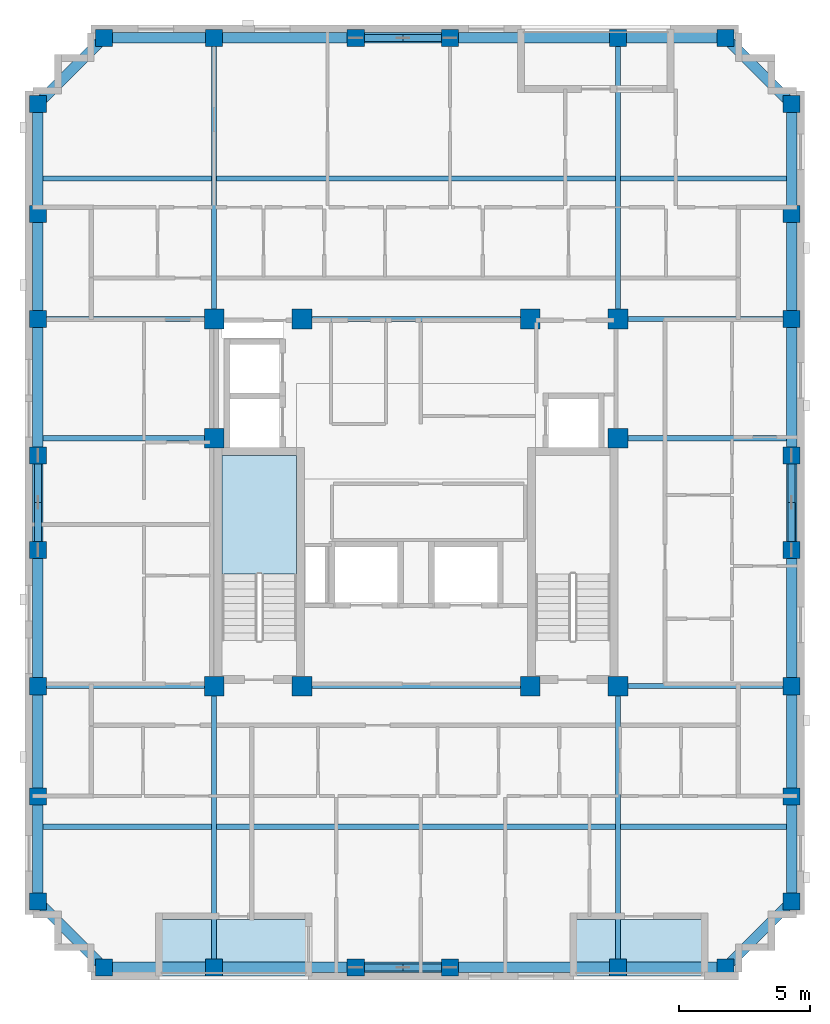
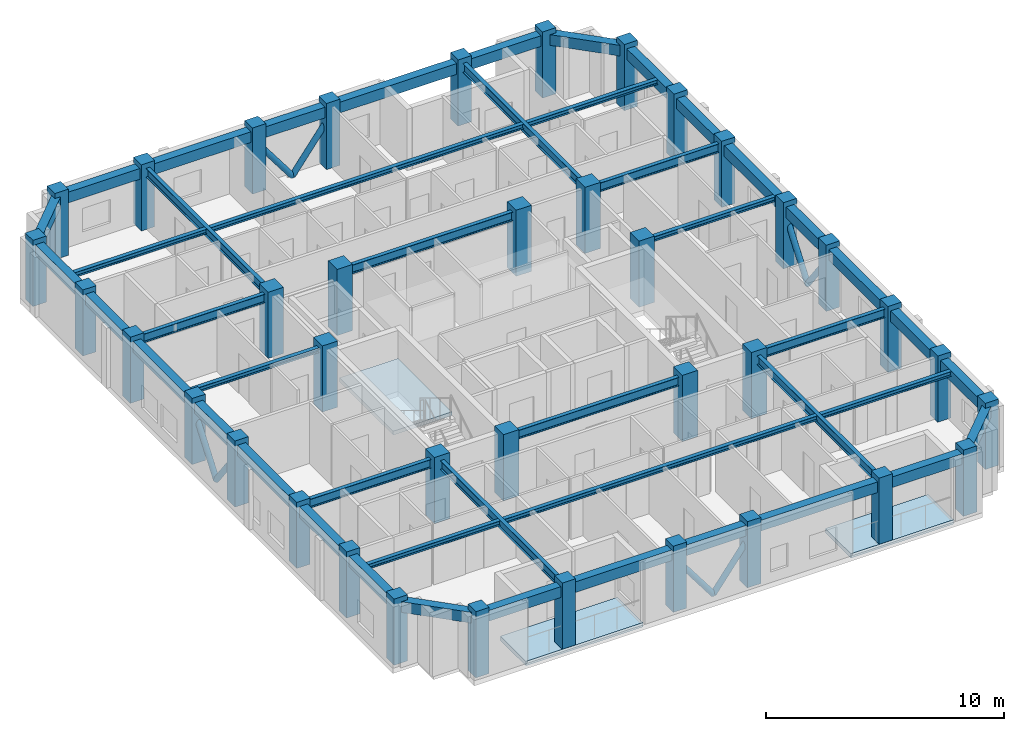
# One storey, part 1 of 11: 46 beams, 38 columns, 8 members, 3 slabs, 1 element without a shape of its own.
"""IFC4 building model written with IfcOpenShell, lengths in metres."""

from ifc_helpers import new_model, si_unit, derived_unit, direction, frame, origin, origin_2d, place, context, subcontext, project, spatial, polyline, rectangle, hollow_circle, i_section, outline, extrude, material, layer, layer_set, material_profile, profile_set, type_object, element, aggregate, save


model = new_model("IFC4")

# Units and contexts
model_context = context("Model", 3, precision=1e-05, world=origin(), true_north=direction((0.0, 1.0)))
body_context = subcontext(model_context, "Body", "Model", "MODEL_VIEW")
ifc_project = project(units=[si_unit("LENGTHUNIT", "METRE"), si_unit("AREAUNIT", "SQUARE_METRE"), si_unit("VOLUMEUNIT", "CUBIC_METRE"), si_unit("PLANEANGLEUNIT", "RADIAN"), si_unit("MASSUNIT", "GRAM", prefix="KILO"), derived_unit("THERMALTRANSMITTANCEUNIT", [(si_unit("MASSUNIT", "GRAM", prefix="KILO"), 1), (si_unit("TIMEUNIT", "SECOND"), -3), (si_unit("THERMODYNAMICTEMPERATUREUNIT", "KELVIN"), -1)])], contexts=[model_context])

# Site, building, storey
site_placement = place(None, origin())
site = spatial("IfcSite", under=ifc_project, at=site_placement, CompositionType="ELEMENT")
building_placement = place(site_placement, origin())
building = spatial("IfcBuilding", under=site, at=building_placement, Name="Korrvale Station Residences", CompositionType="ELEMENT")
storey_placement = place(building_placement, frame((0.0, 0.0, 244.5)))
storey = spatial("IfcBuildingStorey", under=building, at=storey_placement, Name="L71", CompositionType="ELEMENT", Elevation=244.5)

# Columns
ifc_material_1 = material(Name="Concrete C50/60", Category="concrete")
ifc_material_profile_1 = material_profile(ifc_material_1, rectangle(XDim=0.64990234375, YDim=0.64990234375, at=origin_2d()), Name="RC650x650")
ifc_profile_set_1 = profile_set([ifc_material_profile_1], Name="Concrete C50/60")
column_type_1 = type_object("IfcColumnType", Name="COL-C-RC650x650-C5060", PredefinedType="COLUMN", material=ifc_profile_set_1)
for number, where, z_axis, x_axis, name in (
    (1, (13.60009765625, 4.280029296875, 0.0), (0.0, 0.0, 1.0), (1.0, 0.0, 0.0), "L71 Bundled-Tube South Column 01"),
    (2, (17.800048828125, 4.280029296875, 0.0), (0.0, 0.0, 1.0), (1.0, 0.0, 0.0), "L71 Bundled-Tube South Column 02"),
    (3, (23.199951171875, 4.280029296875, 0.0), (0.0, 0.0, 1.0), (1.0, 0.0, 0.0), "L71 Bundled-Tube South Column 03"),
    (4, (26.800048828125, 4.280029296875, 0.0), (0.0, 0.0, 1.0), (1.0, 0.0, 0.0), "L71 Bundled-Tube South Column 04"),
    (5, (33.199951171875, 4.280029296875, 0.0), (0.0, 0.0, 1.0), (1.0, 0.0, 0.0), "L71 Bundled-Tube South Column 05"),
    (6, (37.300048828125, 4.280029296875, 0.0), (0.0, 0.0, 1.0), (1.0, 0.0, 0.0), "L71 Bundled-Tube South Column 06"),
    (7, (13.60009765625, 39.719970703125, 0.0), (0.0, 0.0, 1.0), (1.0, 0.0, 0.0), "L71 Bundled-Tube North Column 07"),
    (8, (17.800048828125, 39.719970703125, 0.0), (0.0, 0.0, 1.0), (1.0, 0.0, 0.0), "L71 Bundled-Tube North Column 08"),
    (9, (23.199951171875, 39.719970703125, 0.0), (0.0, 0.0, 1.0), (1.0, 0.0, 0.0), "L71 Bundled-Tube North Column 09"),
    (10, (26.800048828125, 39.719970703125, 0.0), (0.0, 0.0, 1.0), (1.0, 0.0, 0.0), "L71 Bundled-Tube North Column 10"),
    (11, (33.199951171875, 39.719970703125, 0.0), (0.0, 0.0, 1.0), (1.0, 0.0, 0.0), "L71 Bundled-Tube North Column 11"),
    (12, (37.300048828125, 39.719970703125, 0.0), (0.0, 0.0, 1.0), (1.0, 0.0, 0.0), "L71 Bundled-Tube North Column 12"),
    (13, (11.080078125, 6.800048828125, 0.0), (0.0, 0.0, 1.0), (1.0, 0.0, 0.0), "L71 Bundled-Tube West Column 13"),
    (14, (11.080078125, 10.800048828125, 0.0), (0.0, 0.0, 1.0), (1.0, 0.0, 0.0), "L71 Bundled-Tube West Column 14"),
    (15, (11.080078125, 15.0, 0.0), (0.0, 0.0, 1.0), (1.0, 0.0, 0.0), "L71 Bundled-Tube West Column 15"),
    (16, (11.080078125, 20.199951171875, 0.0), (0.0, 0.0, 1.0), (1.0, 0.0, 0.0), "L71 Bundled-Tube West Column 16"),
    (17, (11.080078125, 23.800048828125, 0.0), (0.0, 0.0, 1.0), (1.0, 0.0, 0.0), "L71 Bundled-Tube West Column 17"),
    (18, (11.080078125, 29.0, 0.0), (0.0, 0.0, 1.0), (1.0, 0.0, 0.0), "L71 Bundled-Tube West Column 18"),
    (19, (11.080078125, 33.0, 0.0), (0.0, 0.0, 1.0), (1.0, 0.0, 0.0), "L71 Bundled-Tube West Column 19"),
    (20, (11.080078125, 37.199951171875, 0.0), (0.0, 0.0, 1.0), (1.0, 0.0, 0.0), "L71 Bundled-Tube West Column 20"),
    (21, (39.820068359375, 6.800048828125, 0.0), (0.0, 0.0, 1.0), (1.0, 0.0, 0.0), "L71 Bundled-Tube East Column 21"),
    (22, (39.820068359375, 10.800048828125, 0.0), (0.0, 0.0, 1.0), (1.0, 0.0, 0.0), "L71 Bundled-Tube East Column 22"),
    (23, (39.820068359375, 15.0, 0.0), (0.0, 0.0, 1.0), (1.0, 0.0, 0.0), "L71 Bundled-Tube East Column 23"),
    (24, (39.820068359375, 20.199951171875, 0.0), (0.0, 0.0, 1.0), (1.0, 0.0, 0.0), "L71 Bundled-Tube East Column 24"),
    (25, (39.820068359375, 23.800048828125, 0.0), (0.0, 0.0, 1.0), (1.0, 0.0, 0.0), "L71 Bundled-Tube East Column 25"),
    (26, (39.820068359375, 29.0, 0.0), (0.0, 0.0, 1.0), (1.0, 0.0, 0.0), "L71 Bundled-Tube East Column 26"),
    (27, (39.820068359375, 33.0, 0.0), (0.0, 0.0, 1.0), (1.0, 0.0, 0.0), "L71 Bundled-Tube East Column 27"),
    (28, (39.820068359375, 37.199951171875, 0.0), (0.0, 0.0, 1.0), (1.0, 0.0, 0.0), "L71 Bundled-Tube East Column 28"),
):
    element("IfcColumn", number, at=place(storey_placement, frame(where, z_axis=z_axis, x_axis=x_axis)), inside=storey, type_object=column_type_1, Name=name, PredefinedType="COLUMN", context=body_context, shape_type="SweptSolid", body=[
        extrude(rectangle(XDim=0.64990234375, YDim=0.64990234375, at=origin_2d()), origin(), (0.0, 0.0, 1.0), 3.39990234375),
    ])
ifc_material_profile_2 = material_profile(ifc_material_1, rectangle(XDim=0.75, YDim=0.75, at=origin_2d()), Name="RC750x750")
ifc_profile_set_2 = profile_set([ifc_material_profile_2], Name="Concrete C50/60")
column_type_2 = type_object("IfcColumnType", Name="COL-C-RC750x750-C5060", PredefinedType="COLUMN", material=ifc_profile_set_2)
for number, where, z_axis, x_axis, name in (
    (29, (17.800048828125, 15.0, 0.0), (0.0, 0.0, 1.0), (1.0, 0.0, 0.0), "L71 Core Column 01"),
    (30, (21.14990234375, 15.0, 0.0), (0.0, 0.0, 1.0), (1.0, 0.0, 0.0), "L71 Core Column 02"),
    (31, (29.85009765625, 15.0, 0.0), (0.0, 0.0, 1.0), (1.0, 0.0, 0.0), "L71 Core Column 03"),
    (32, (33.199951171875, 15.0, 0.0), (0.0, 0.0, 1.0), (1.0, 0.0, 0.0), "L71 Core Column 04"),
    (33, (17.800048828125, 29.0, 0.0), (0.0, 0.0, 1.0), (1.0, 0.0, 0.0), "L71 Core Column 05"),
    (34, (21.14990234375, 29.0, 0.0), (0.0, 0.0, 1.0), (1.0, 0.0, 0.0), "L71 Core Column 06"),
    (35, (29.85009765625, 29.0, 0.0), (0.0, 0.0, 1.0), (1.0, 0.0, 0.0), "L71 Core Column 07"),
    (36, (33.199951171875, 29.0, 0.0), (0.0, 0.0, 1.0), (1.0, 0.0, 0.0), "L71 Core Column 08"),
    (37, (17.800048828125, 24.449951171875, 0.0), (0.0, 0.0, 1.0), (1.0, 0.0, 0.0), "L71 Core Column 09"),
    (38, (33.199951171875, 24.449951171875, 0.0), (0.0, 0.0, 1.0), (1.0, 0.0, 0.0), "L71 Core Column 10"),
):
    element("IfcColumn", number, at=place(storey_placement, frame(where, z_axis=z_axis, x_axis=x_axis)), inside=storey, type_object=column_type_2, Name=name, PredefinedType="COLUMN", context=body_context, shape_type="SweptSolid", body=[
        extrude(rectangle(XDim=0.75, YDim=0.75, at=origin_2d()), origin(), (0.0, 0.0, 1.0), 3.39990234375),
    ])

# Beams
ifc_material_2 = material(Name="Steel S355", Category="steel")
ifc_material_profile_3 = material_profile(ifc_material_2, i_section(OverallWidth=0.18994140625, OverallDepth=0.45703125, WebThickness=0.009033203125, FlangeThickness=0.014404296875, FilletRadius=0.01611328125, at=origin_2d()), Name="W460x74")
ifc_profile_set_3 = profile_set([ifc_material_profile_3], Name="Steel S355")
beam_type_1 = type_object("IfcBeamType", Name="BM-BM-W460x74-S355", PredefinedType="BEAM", material=ifc_profile_set_3)
for number, where, z_axis, x_axis, name in (
    (39, (17.800048828125, 4.280029296875, 2.91162109375), (0.0, 1.0, 0.0), (-1.0, 0.0, 0.0), "L71 Bundled-Tube Web Girder 01"),
    (40, (33.199951171875, 4.280029296875, 2.91162109375), (0.0, 1.0, 0.0), (-1.0, 0.0, 0.0), "L71 Bundled-Tube Web Girder 02"),
    (41, (17.800048828125, 29.0, 2.91162109375), (0.0, 1.0, 0.0), (-1.0, 0.0, 0.0), "L71 Bundled-Tube Web Girder 03"),
    (42, (33.199951171875, 29.0, 2.91162109375), (0.0, 1.0, 0.0), (-1.0, 0.0, 0.0), "L71 Bundled-Tube Web Girder 04"),
):
    element("IfcBeam", number, at=place(storey_placement, frame(where, z_axis=z_axis, x_axis=x_axis)), inside=storey, type_object=beam_type_1, Name=name, PredefinedType="BEAM", context=body_context, shape_type="SweptSolid", body=[
        extrude(i_section(OverallWidth=0.18994140625, OverallDepth=0.45703125, WebThickness=0.009033203125, FlangeThickness=0.014404296875, FilletRadius=0.01611328125, at=origin_2d()), origin(), (0.0, 0.0, 1.0), 10.719970703125),
    ])
beam_1_placement = place(storey_placement, frame((11.080078125, 15.0, 2.91162109375), z_axis=(1.0, 0.0, 0.0), x_axis=(0.0, 1.0, 0.0)))
element("IfcBeam", 43, at=beam_1_placement, inside=storey, type_object=beam_type_1, Name="L71 Bundled-Tube Web Girder 05", PredefinedType="BEAM", context=body_context, shape_type="SweptSolid", body=[
    extrude(i_section(OverallWidth=0.18994140625, OverallDepth=0.45703125, WebThickness=0.009033203125, FlangeThickness=0.014404296875, FilletRadius=0.01611328125, at=origin_2d()), origin(), (0.0, 0.0, 1.0), 6.719970703125),
])
beam_2_placement = place(storey_placement, frame((33.199951171875, 15.0, 2.91162109375), z_axis=(1.0, 0.0, 0.0), x_axis=(0.0, 1.0, 0.0)))
element("IfcBeam", 44, at=beam_2_placement, inside=storey, type_object=beam_type_1, Name="L71 Bundled-Tube Web Girder 06", PredefinedType="BEAM", context=body_context, shape_type="SweptSolid", body=[
    extrude(i_section(OverallWidth=0.18994140625, OverallDepth=0.45703125, WebThickness=0.009033203125, FlangeThickness=0.014404296875, FilletRadius=0.01611328125, at=origin_2d()), origin(), (0.0, 0.0, 1.0), 6.6201171875),
])
beam_3_placement = place(storey_placement, frame((11.080078125, 29.0, 2.91162109375), z_axis=(1.0, 0.0, 0.0), x_axis=(0.0, 1.0, 0.0)))
element("IfcBeam", 45, at=beam_3_placement, inside=storey, type_object=beam_type_1, Name="L71 Bundled-Tube Web Girder 07", PredefinedType="BEAM", context=body_context, shape_type="SweptSolid", body=[
    extrude(i_section(OverallWidth=0.18994140625, OverallDepth=0.45703125, WebThickness=0.009033203125, FlangeThickness=0.014404296875, FilletRadius=0.01611328125, at=origin_2d()), origin(), (0.0, 0.0, 1.0), 6.719970703125),
])
beam_4_placement = place(storey_placement, frame((33.199951171875, 29.0, 2.91162109375), z_axis=(1.0, 0.0, 0.0), x_axis=(0.0, 1.0, 0.0)))
element("IfcBeam", 46, at=beam_4_placement, inside=storey, type_object=beam_type_1, Name="L71 Bundled-Tube Web Girder 08", PredefinedType="BEAM", context=body_context, shape_type="SweptSolid", body=[
    extrude(i_section(OverallWidth=0.18994140625, OverallDepth=0.45703125, WebThickness=0.009033203125, FlangeThickness=0.014404296875, FilletRadius=0.01611328125, at=origin_2d()), origin(), (0.0, 0.0, 1.0), 6.6201171875),
])
for number, where, z_axis, x_axis, name in (
    (47, (21.14990234375, 15.0, 2.91162109375), (1.0, 0.0, 0.0), (0.0, 1.0, 0.0), "L71 Bundled-Tube Web Girder 09"),
    (48, (21.14990234375, 29.0, 2.91162109375), (1.0, 0.0, 0.0), (0.0, 1.0, 0.0), "L71 Bundled-Tube Web Girder 10"),
):
    element("IfcBeam", number, at=place(storey_placement, frame(where, z_axis=z_axis, x_axis=x_axis)), inside=storey, type_object=beam_type_1, Name=name, PredefinedType="BEAM", context=body_context, shape_type="SweptSolid", body=[
        extrude(i_section(OverallWidth=0.18994140625, OverallDepth=0.45703125, WebThickness=0.009033203125, FlangeThickness=0.014404296875, FilletRadius=0.01611328125, at=origin_2d()), origin(), (0.0, 0.0, 1.0), 8.7001953125),
    ])
ifc_material_profile_4 = material_profile(ifc_material_2, i_section(OverallWidth=0.201904296875, OverallDepth=0.2470703125, WebThickness=0.00732421875, FlangeThickness=0.010986328125, FilletRadius=0.012939453125, at=origin_2d()), Name="W250x49")
ifc_profile_set_4 = profile_set([ifc_material_profile_4], Name="Steel S355")
beam_type_2 = type_object("IfcBeamType", Name="BM-JST-W250x49-S355", PredefinedType="JOIST", material=ifc_profile_set_4)
beam_5_placement = place(storey_placement, frame((11.280029296875, 9.639892578125, 3.0166015625), z_axis=(1.0, 0.0, 0.0), x_axis=(0.0, 1.0, 0.0)))
element("IfcBeam", 49, at=beam_5_placement, inside=storey, type_object=beam_type_2, Name="L71 Floor Framing Joist 01", PredefinedType="JOIST", context=body_context, shape_type="SweptSolid", body=[
    extrude(i_section(OverallWidth=0.201904296875, OverallDepth=0.2470703125, WebThickness=0.00732421875, FlangeThickness=0.010986328125, FilletRadius=0.012939453125, at=origin_2d()), origin(), (0.0, 0.0, 1.0), 6.425048828125),
])
beam_6_placement = place(storey_placement, frame((17.89501953125, 9.639892578125, 3.0166015625), z_axis=(1.0, 0.0, 0.0), x_axis=(0.0, 1.0, 0.0)))
element("IfcBeam", 50, at=beam_6_placement, inside=storey, type_object=beam_type_2, Name="L71 Floor Framing Joist 02", PredefinedType="JOIST", context=body_context, shape_type="SweptSolid", body=[
    extrude(i_section(OverallWidth=0.201904296875, OverallDepth=0.2470703125, WebThickness=0.00732421875, FlangeThickness=0.010986328125, FilletRadius=0.012939453125, at=origin_2d()), origin(), (0.0, 0.0, 1.0), 15.2099609375),
])
beam_7_placement = place(storey_placement, frame((33.294921875, 9.639892578125, 3.0166015625), z_axis=(1.0, 0.0, 0.0), x_axis=(0.0, 1.0, 0.0)))
element("IfcBeam", 51, at=beam_7_placement, inside=storey, type_object=beam_type_2, Name="L71 Floor Framing Joist 03", PredefinedType="JOIST", context=body_context, shape_type="SweptSolid", body=[
    extrude(i_section(OverallWidth=0.201904296875, OverallDepth=0.2470703125, WebThickness=0.00732421875, FlangeThickness=0.010986328125, FilletRadius=0.012939453125, at=origin_2d()), origin(), (0.0, 0.0, 1.0), 6.3251953125),
])
beam_8_placement = place(storey_placement, frame((11.280029296875, 34.360107421875, 3.0166015625), z_axis=(1.0, 0.0, 0.0), x_axis=(0.0, 1.0, 0.0)))
element("IfcBeam", 52, at=beam_8_placement, inside=storey, type_object=beam_type_2, Name="L71 Floor Framing Joist 04", PredefinedType="JOIST", context=body_context, shape_type="SweptSolid", body=[
    extrude(i_section(OverallWidth=0.201904296875, OverallDepth=0.2470703125, WebThickness=0.00732421875, FlangeThickness=0.010986328125, FilletRadius=0.012939453125, at=origin_2d()), origin(), (0.0, 0.0, 1.0), 6.425048828125),
])
beam_9_placement = place(storey_placement, frame((17.89501953125, 34.360107421875, 3.0166015625), z_axis=(1.0, 0.0, 0.0), x_axis=(0.0, 1.0, 0.0)))
element("IfcBeam", 53, at=beam_9_placement, inside=storey, type_object=beam_type_2, Name="L71 Floor Framing Joist 05", PredefinedType="JOIST", context=body_context, shape_type="SweptSolid", body=[
    extrude(i_section(OverallWidth=0.201904296875, OverallDepth=0.2470703125, WebThickness=0.00732421875, FlangeThickness=0.010986328125, FilletRadius=0.012939453125, at=origin_2d()), origin(), (0.0, 0.0, 1.0), 15.2099609375),
])
beam_10_placement = place(storey_placement, frame((33.294921875, 34.360107421875, 3.0166015625), z_axis=(1.0, 0.0, 0.0), x_axis=(0.0, 1.0, 0.0)))
element("IfcBeam", 54, at=beam_10_placement, inside=storey, type_object=beam_type_2, Name="L71 Floor Framing Joist 06", PredefinedType="JOIST", context=body_context, shape_type="SweptSolid", body=[
    extrude(i_section(OverallWidth=0.201904296875, OverallDepth=0.2470703125, WebThickness=0.00732421875, FlangeThickness=0.010986328125, FilletRadius=0.012939453125, at=origin_2d()), origin(), (0.0, 0.0, 1.0), 6.3251953125),
])
beam_11_placement = place(storey_placement, frame((33.199951171875, 24.449951171875, 3.0166015625), z_axis=(1.0, 0.0, 0.0), x_axis=(0.0, 1.0, 0.0)))
element("IfcBeam", 55, at=beam_11_placement, inside=storey, type_object=beam_type_2, Name="L71 Floor Framing Joist 07", PredefinedType="JOIST", context=body_context, shape_type="SweptSolid", body=[
    extrude(i_section(OverallWidth=0.201904296875, OverallDepth=0.2470703125, WebThickness=0.00732421875, FlangeThickness=0.010986328125, FilletRadius=0.012939453125, at=origin_2d()), origin(), (0.0, 0.0, 1.0), 6.420166015625),
])
beam_12_placement = place(storey_placement, frame((11.280029296875, 24.449951171875, 3.0166015625), z_axis=(1.0, 0.0, 0.0), x_axis=(0.0, 1.0, 0.0)))
element("IfcBeam", 56, at=beam_12_placement, inside=storey, type_object=beam_type_2, Name="L71 Floor Framing Joist 08", PredefinedType="JOIST", context=body_context, shape_type="SweptSolid", body=[
    extrude(i_section(OverallWidth=0.201904296875, OverallDepth=0.2470703125, WebThickness=0.00732421875, FlangeThickness=0.010986328125, FilletRadius=0.012939453125, at=origin_2d()), origin(), (0.0, 0.0, 1.0), 6.52001953125),
])
ifc_material_profile_5 = material_profile(ifc_material_1, rectangle(XDim=0.39990234375, YDim=0.550048828125, at=origin_2d()), Name="RCB400x550")
ifc_profile_set_5 = profile_set([ifc_material_profile_5], Name="Concrete C50/60")
beam_type_3 = type_object("IfcBeamType", Name="BM-SPB-RCB400x550-C5060", PredefinedType="SPANDREL", material=ifc_profile_set_5)
beam_13_placement = place(storey_placement, frame((13.60009765625, 4.280029296875, 2.864990234375), z_axis=(1.0, 0.0, 0.0), x_axis=(0.0, 1.0, 0.0)))
element("IfcBeam", 57, at=beam_13_placement, inside=storey, type_object=beam_type_3, Name="L71 South Tube Spandrel 01", PredefinedType="SPANDREL", context=body_context, shape_type="SweptSolid", body=[
    extrude(rectangle(XDim=0.39990234375, YDim=0.550048828125, at=origin_2d()), origin(), (0.0, 0.0, 1.0), 4.199951171875),
])
beam_14_placement = place(storey_placement, frame((17.800048828125, 4.280029296875, 2.864990234375), z_axis=(1.0, 0.0, 0.0), x_axis=(0.0, 1.0, 0.0)))
element("IfcBeam", 58, at=beam_14_placement, inside=storey, type_object=beam_type_3, Name="L71 South Tube Spandrel 02", PredefinedType="SPANDREL", context=body_context, shape_type="SweptSolid", body=[
    extrude(rectangle(XDim=0.39990234375, YDim=0.550048828125, at=origin_2d()), origin(), (0.0, 0.0, 1.0), 5.39990234375),
])
beam_15_placement = place(storey_placement, frame((23.199951171875, 4.280029296875, 2.864990234375), z_axis=(1.0, 0.0, 0.0), x_axis=(0.0, 1.0, 0.0)))
element("IfcBeam", 59, at=beam_15_placement, inside=storey, type_object=beam_type_3, Name="L71 South Tube Spandrel 03", PredefinedType="SPANDREL", context=body_context, shape_type="SweptSolid", body=[
    extrude(rectangle(XDim=0.39990234375, YDim=0.550048828125, at=origin_2d()), origin(), (0.0, 0.0, 1.0), 3.60009765625),
])
beam_16_placement = place(storey_placement, frame((26.800048828125, 4.280029296875, 2.864990234375), z_axis=(1.0, 0.0, 0.0), x_axis=(0.0, 1.0, 0.0)))
element("IfcBeam", 60, at=beam_16_placement, inside=storey, type_object=beam_type_3, Name="L71 South Tube Spandrel 04", PredefinedType="SPANDREL", context=body_context, shape_type="SweptSolid", body=[
    extrude(rectangle(XDim=0.39990234375, YDim=0.550048828125, at=origin_2d()), origin(), (0.0, 0.0, 1.0), 6.39990234375),
])
beam_17_placement = place(storey_placement, frame((33.199951171875, 4.280029296875, 2.864990234375), z_axis=(1.0, 0.0, 0.0), x_axis=(0.0, 1.0, 0.0)))
element("IfcBeam", 61, at=beam_17_placement, inside=storey, type_object=beam_type_3, Name="L71 South Tube Spandrel 05", PredefinedType="SPANDREL", context=body_context, shape_type="SweptSolid", body=[
    extrude(rectangle(XDim=0.39990234375, YDim=0.550048828125, at=origin_2d()), origin(), (0.0, 0.0, 1.0), 4.10009765625),
])
beam_18_placement = place(storey_placement, frame((13.60009765625, 39.719970703125, 2.864990234375), z_axis=(1.0, 0.0, 0.0), x_axis=(0.0, 1.0, 0.0)))
element("IfcBeam", 62, at=beam_18_placement, inside=storey, type_object=beam_type_3, Name="L71 North Tube Spandrel 06", PredefinedType="SPANDREL", context=body_context, shape_type="SweptSolid", body=[
    extrude(rectangle(XDim=0.39990234375, YDim=0.550048828125, at=origin_2d()), origin(), (0.0, 0.0, 1.0), 4.199951171875),
])
beam_19_placement = place(storey_placement, frame((17.800048828125, 39.719970703125, 2.864990234375), z_axis=(1.0, 0.0, 0.0), x_axis=(0.0, 1.0, 0.0)))
element("IfcBeam", 63, at=beam_19_placement, inside=storey, type_object=beam_type_3, Name="L71 North Tube Spandrel 07", PredefinedType="SPANDREL", context=body_context, shape_type="SweptSolid", body=[
    extrude(rectangle(XDim=0.39990234375, YDim=0.550048828125, at=origin_2d()), origin(), (0.0, 0.0, 1.0), 5.39990234375),
])
beam_20_placement = place(storey_placement, frame((23.199951171875, 39.719970703125, 2.864990234375), z_axis=(1.0, 0.0, 0.0), x_axis=(0.0, 1.0, 0.0)))
element("IfcBeam", 64, at=beam_20_placement, inside=storey, type_object=beam_type_3, Name="L71 North Tube Spandrel 08", PredefinedType="SPANDREL", context=body_context, shape_type="SweptSolid", body=[
    extrude(rectangle(XDim=0.39990234375, YDim=0.550048828125, at=origin_2d()), origin(), (0.0, 0.0, 1.0), 3.60009765625),
])
beam_21_placement = place(storey_placement, frame((26.800048828125, 39.719970703125, 2.864990234375), z_axis=(1.0, 0.0, 0.0), x_axis=(0.0, 1.0, 0.0)))
element("IfcBeam", 65, at=beam_21_placement, inside=storey, type_object=beam_type_3, Name="L71 North Tube Spandrel 09", PredefinedType="SPANDREL", context=body_context, shape_type="SweptSolid", body=[
    extrude(rectangle(XDim=0.39990234375, YDim=0.550048828125, at=origin_2d()), origin(), (0.0, 0.0, 1.0), 6.39990234375),
])
beam_22_placement = place(storey_placement, frame((33.199951171875, 39.719970703125, 2.864990234375), z_axis=(1.0, 0.0, 0.0), x_axis=(0.0, 1.0, 0.0)))
element("IfcBeam", 66, at=beam_22_placement, inside=storey, type_object=beam_type_3, Name="L71 North Tube Spandrel 10", PredefinedType="SPANDREL", context=body_context, shape_type="SweptSolid", body=[
    extrude(rectangle(XDim=0.39990234375, YDim=0.550048828125, at=origin_2d()), origin(), (0.0, 0.0, 1.0), 4.10009765625),
])
beam_23_placement = place(storey_placement, frame((11.080078125, 6.800048828125, 2.864990234375), z_axis=(0.0, 1.0, 0.0), x_axis=(-1.0, 0.0, 0.0)))
element("IfcBeam", 67, at=beam_23_placement, inside=storey, type_object=beam_type_3, Name="L71 West Tube Spandrel 11", PredefinedType="SPANDREL", context=body_context, shape_type="SweptSolid", body=[
    extrude(rectangle(XDim=0.39990234375, YDim=0.550048828125, at=origin_2d()), origin(), (0.0, 0.0, 1.0), 4.0),
])
beam_24_placement = place(storey_placement, frame((11.080078125, 10.800048828125, 2.864990234375), z_axis=(0.0, 1.0, 0.0), x_axis=(-1.0, 0.0, 0.0)))
element("IfcBeam", 68, at=beam_24_placement, inside=storey, type_object=beam_type_3, Name="L71 West Tube Spandrel 12", PredefinedType="SPANDREL", context=body_context, shape_type="SweptSolid", body=[
    extrude(rectangle(XDim=0.39990234375, YDim=0.550048828125, at=origin_2d()), origin(), (0.0, 0.0, 1.0), 4.199951171875),
])
beam_25_placement = place(storey_placement, frame((11.080078125, 15.0, 2.864990234375), z_axis=(0.0, 1.0, 0.0), x_axis=(-1.0, 0.0, 0.0)))
element("IfcBeam", 69, at=beam_25_placement, inside=storey, type_object=beam_type_3, Name="L71 West Tube Spandrel 13", PredefinedType="SPANDREL", context=body_context, shape_type="SweptSolid", body=[
    extrude(rectangle(XDim=0.39990234375, YDim=0.550048828125, at=origin_2d()), origin(), (0.0, 0.0, 1.0), 5.199951171875),
])
beam_26_placement = place(storey_placement, frame((11.080078125, 20.199951171875, 2.864990234375), z_axis=(0.0, 1.0, 0.0), x_axis=(-1.0, 0.0, 0.0)))
element("IfcBeam", 70, at=beam_26_placement, inside=storey, type_object=beam_type_3, Name="L71 West Tube Spandrel 14", PredefinedType="SPANDREL", context=body_context, shape_type="SweptSolid", body=[
    extrude(rectangle(XDim=0.39990234375, YDim=0.550048828125, at=origin_2d()), origin(), (0.0, 0.0, 1.0), 3.60009765625),
])
beam_27_placement = place(storey_placement, frame((11.080078125, 23.800048828125, 2.864990234375), z_axis=(0.0, 1.0, 0.0), x_axis=(-1.0, 0.0, 0.0)))
element("IfcBeam", 71, at=beam_27_placement, inside=storey, type_object=beam_type_3, Name="L71 West Tube Spandrel 15", PredefinedType="SPANDREL", context=body_context, shape_type="SweptSolid", body=[
    extrude(rectangle(XDim=0.39990234375, YDim=0.550048828125, at=origin_2d()), origin(), (0.0, 0.0, 1.0), 5.199951171875),
])
beam_28_placement = place(storey_placement, frame((11.080078125, 29.0, 2.864990234375), z_axis=(0.0, 1.0, 0.0), x_axis=(-1.0, 0.0, 0.0)))
element("IfcBeam", 72, at=beam_28_placement, inside=storey, type_object=beam_type_3, Name="L71 West Tube Spandrel 16", PredefinedType="SPANDREL", context=body_context, shape_type="SweptSolid", body=[
    extrude(rectangle(XDim=0.39990234375, YDim=0.550048828125, at=origin_2d()), origin(), (0.0, 0.0, 1.0), 4.0),
])
beam_29_placement = place(storey_placement, frame((11.080078125, 33.0, 2.864990234375), z_axis=(0.0, 1.0, 0.0), x_axis=(-1.0, 0.0, 0.0)))
element("IfcBeam", 73, at=beam_29_placement, inside=storey, type_object=beam_type_3, Name="L71 West Tube Spandrel 17", PredefinedType="SPANDREL", context=body_context, shape_type="SweptSolid", body=[
    extrude(rectangle(XDim=0.39990234375, YDim=0.550048828125, at=origin_2d()), origin(), (0.0, 0.0, 1.0), 4.199951171875),
])
beam_30_placement = place(storey_placement, frame((39.820068359375, 6.800048828125, 2.864990234375), z_axis=(0.0, 1.0, 0.0), x_axis=(-1.0, 0.0, 0.0)))
element("IfcBeam", 74, at=beam_30_placement, inside=storey, type_object=beam_type_3, Name="L71 East Tube Spandrel 18", PredefinedType="SPANDREL", context=body_context, shape_type="SweptSolid", body=[
    extrude(rectangle(XDim=0.39990234375, YDim=0.550048828125, at=origin_2d()), origin(), (0.0, 0.0, 1.0), 4.0),
])
beam_31_placement = place(storey_placement, frame((39.820068359375, 10.800048828125, 2.864990234375), z_axis=(0.0, 1.0, 0.0), x_axis=(-1.0, 0.0, 0.0)))
element("IfcBeam", 75, at=beam_31_placement, inside=storey, type_object=beam_type_3, Name="L71 East Tube Spandrel 19", PredefinedType="SPANDREL", context=body_context, shape_type="SweptSolid", body=[
    extrude(rectangle(XDim=0.39990234375, YDim=0.550048828125, at=origin_2d()), origin(), (0.0, 0.0, 1.0), 4.199951171875),
])
beam_32_placement = place(storey_placement, frame((39.820068359375, 15.0, 2.864990234375), z_axis=(0.0, 1.0, 0.0), x_axis=(-1.0, 0.0, 0.0)))
element("IfcBeam", 76, at=beam_32_placement, inside=storey, type_object=beam_type_3, Name="L71 East Tube Spandrel 20", PredefinedType="SPANDREL", context=body_context, shape_type="SweptSolid", body=[
    extrude(rectangle(XDim=0.39990234375, YDim=0.550048828125, at=origin_2d()), origin(), (0.0, 0.0, 1.0), 5.199951171875),
])
beam_33_placement = place(storey_placement, frame((39.820068359375, 20.199951171875, 2.864990234375), z_axis=(0.0, 1.0, 0.0), x_axis=(-1.0, 0.0, 0.0)))
element("IfcBeam", 77, at=beam_33_placement, inside=storey, type_object=beam_type_3, Name="L71 East Tube Spandrel 21", PredefinedType="SPANDREL", context=body_context, shape_type="SweptSolid", body=[
    extrude(rectangle(XDim=0.39990234375, YDim=0.550048828125, at=origin_2d()), origin(), (0.0, 0.0, 1.0), 3.60009765625),
])
beam_34_placement = place(storey_placement, frame((39.820068359375, 23.800048828125, 2.864990234375), z_axis=(0.0, 1.0, 0.0), x_axis=(-1.0, 0.0, 0.0)))
element("IfcBeam", 78, at=beam_34_placement, inside=storey, type_object=beam_type_3, Name="L71 East Tube Spandrel 22", PredefinedType="SPANDREL", context=body_context, shape_type="SweptSolid", body=[
    extrude(rectangle(XDim=0.39990234375, YDim=0.550048828125, at=origin_2d()), origin(), (0.0, 0.0, 1.0), 5.199951171875),
])
beam_35_placement = place(storey_placement, frame((39.820068359375, 29.0, 2.864990234375), z_axis=(0.0, 1.0, 0.0), x_axis=(-1.0, 0.0, 0.0)))
element("IfcBeam", 79, at=beam_35_placement, inside=storey, type_object=beam_type_3, Name="L71 East Tube Spandrel 23", PredefinedType="SPANDREL", context=body_context, shape_type="SweptSolid", body=[
    extrude(rectangle(XDim=0.39990234375, YDim=0.550048828125, at=origin_2d()), origin(), (0.0, 0.0, 1.0), 4.0),
])
beam_36_placement = place(storey_placement, frame((39.820068359375, 33.0, 2.864990234375), z_axis=(0.0, 1.0, 0.0), x_axis=(-1.0, 0.0, 0.0)))
element("IfcBeam", 80, at=beam_36_placement, inside=storey, type_object=beam_type_3, Name="L71 East Tube Spandrel 24", PredefinedType="SPANDREL", context=body_context, shape_type="SweptSolid", body=[
    extrude(rectangle(XDim=0.39990234375, YDim=0.550048828125, at=origin_2d()), origin(), (0.0, 0.0, 1.0), 4.199951171875),
])
for number, where, z_axis, x_axis, name in (
    (81, (13.60009765625, 4.280029296875, 2.864990234375), (-0.707106781187, 0.707106781187, 0.0), (-0.707106781187, -0.707106781187, 0.0), "L71 Serrated Corner Spandrel 25"),
    (82, (37.300048828125, 4.280029296875, 2.864990234375), (0.707106781187, 0.707106781187, 0.0), (-0.707106781187, 0.707106781187, 0.0), "L71 Serrated Corner Spandrel 26"),
    (83, (37.300048828125, 39.719970703125, 2.864990234375), (0.707106781187, -0.707106781187, 0.0), (0.707106781187, 0.707106781187, 0.0), "L71 Serrated Corner Spandrel 27"),
    (84, (13.60009765625, 39.719970703125, 2.864990234375), (-0.707106781187, -0.707106781187, 0.0), (0.707106781187, -0.707106781187, 0.0), "L71 Serrated Corner Spandrel 28"),
):
    element("IfcBeam", number, at=place(storey_placement, frame(where, z_axis=z_axis, x_axis=x_axis)), inside=storey, type_object=beam_type_3, Name=name, PredefinedType="SPANDREL", context=body_context, shape_type="SweptSolid", body=[
        extrude(rectangle(XDim=0.39990234375, YDim=0.550048828125, at=origin_2d()), origin(), (0.0, 0.0, 1.0), 3.56396484375),
    ])

# Members
ifc_material_profile_6 = material_profile(ifc_material_2, hollow_circle(Radius=0.136474609375, WallThickness=0.015869140625, at=origin_2d()), Name="HSS273x16")
ifc_profile_set_6 = profile_set([ifc_material_profile_6], Name="Steel S355")
member_type = type_object("IfcMemberType", Name="MBR-BR-HSS273x16", PredefinedType="BRACE", material=ifc_profile_set_6)
for number, where, z_axis, x_axis, name in (
    (85, (25.0, 4.280029296875, 0.02001953125), (-0.601630735092, 0.0, 0.798774347731), (0.0, -1.0, 0.0), "L71 S Perimeter Tube Wind Brace 1"),
    (86, (25.0, 4.280029296875, 0.02001953125), (0.601630735092, 0.0, 0.798774347731), (0.0, 1.0, 0.0), "L71 S Perimeter Tube Wind Brace 2"),
    (87, (25.0, 39.719970703125, 0.02001953125), (-0.601630735092, 0.0, 0.798774347731), (0.0, -1.0, 0.0), "L71 N Perimeter Tube Wind Brace 1"),
    (88, (25.0, 39.719970703125, 0.02001953125), (0.601630735092, 0.0, 0.798774347731), (0.0, 1.0, 0.0), "L71 N Perimeter Tube Wind Brace 2"),
    (89, (11.080078125, 22.0, 0.02001953125), (0.0, -0.601630735092, 0.798774347731), (1.0, 0.0, 0.0), "L71 W Perimeter Tube Wind Brace 1"),
    (90, (11.080078125, 22.0, 0.02001953125), (0.0, 0.601630735092, 0.798774347731), (-1.0, 0.0, 0.0), "L71 W Perimeter Tube Wind Brace 2"),
    (91, (39.820068359375, 22.0, 0.02001953125), (0.0, -0.601630735092, 0.798774347731), (1.0, 0.0, 0.0), "L71 E Perimeter Tube Wind Brace 1"),
    (92, (39.820068359375, 22.0, 0.02001953125), (0.0, 0.601630735092, 0.798774347731), (-1.0, 0.0, 0.0), "L71 E Perimeter Tube Wind Brace 2"),
):
    element("IfcMember", number, at=place(storey_placement, frame(where, z_axis=z_axis, x_axis=x_axis)), inside=storey, type_object=member_type, Name=name, PredefinedType="BRACE", context=body_context, shape_type="SweptSolid", body=[
        extrude(hollow_circle(Radius=0.136474609375, WallThickness=0.015869140625, at=origin_2d()), origin(), (0.0, 0.0, 1.0), 2.991943359375),
    ])

# Slabs
ifc_layer_1 = layer(ifc_material_1, 0.219970703125, Name="Concrete C50/60")
ifc_layer_set_1 = layer_set([ifc_layer_1], Name="Concrete C50/60")
slab_type_1 = type_object("IfcSlabType", Name="SLB-BAL-220", PredefinedType="FLOOR", material=ifc_layer_set_1)
slab_1_placement = place(storey_placement, frame((0.0, 0.0, -0.219970703125)))
element("IfcSlab", 93, at=slab_1_placement, inside=storey, type_object=slab_type_1, Name="L71 Recessed Loggia Balcony Slab BAL-L71-S1", PredefinedType="FLOOR", context=body_context, shape_type="SweptSolid", body=[
    extrude(outline(polyline([(15.699951171875, 3.949951171875), (21.39990234375, 3.949951171875), (21.39990234375, 6.10009765625), (15.699951171875, 6.10009765625), (15.699951171875, 3.949951171875)])), origin(), (0.0, 0.0, 1.0), 0.219970703125),
])
slab_2_placement = place(storey_placement, frame((0.0, 0.0, -0.219970703125)))
element("IfcSlab", 94, at=slab_2_placement, inside=storey, type_object=slab_type_1, Name="L71 Recessed Loggia Balcony Slab BAL-L71-S2", PredefinedType="FLOOR", context=body_context, shape_type="SweptSolid", body=[
    extrude(outline(polyline([(31.5, 3.949951171875), (36.5, 3.949951171875), (36.5, 6.10009765625), (31.5, 6.10009765625), (31.5, 3.949951171875)])), origin(), (0.0, 0.0, 1.0), 0.219970703125),
])

# Stair, slab
stair_type = type_object("IfcStairType", Name="STR-DL-1350-20R-1700", PredefinedType="HALF_TURN_STAIR", material=ifc_material_1)
stair_placement = place(storey_placement, origin())
stair = element("IfcStair", 95, at=stair_placement, inside=storey, type_object=stair_type, Name="L71 Exit Stair 1", PredefinedType="HALF_TURN_STAIR")
ifc_layer_2 = layer(ifc_material_1, 0.199951171875, Name="Concrete C50/60")
ifc_layer_set_2 = layer_set([ifc_layer_2], Name="Concrete C50/60")
slab_type_2 = type_object("IfcSlabType", Name="SLB-LND-200", PredefinedType="LANDING", material=ifc_layer_set_2)
slab_3_placement = place(storey_placement, frame((0.0, 0.0, 1.5)))
slab_3 = element("IfcSlab", 96, at=slab_3_placement, type_object=slab_type_2, Name="ST-1 landing 1", PredefinedType="LANDING", context=body_context, shape_type="SweptSolid", body=[
    extrude(outline(polyline([(20.949951171875, 19.27001953125), (20.949951171875, 23.800048828125), (18.10009765625, 23.800048828125), (18.10009765625, 19.27001953125), (20.949951171875, 19.27001953125)])), origin(), (0.0, 0.0, 1.0), 0.199951171875),
])
aggregate(stair, [slab_3])

save(model, "model.ifc")
